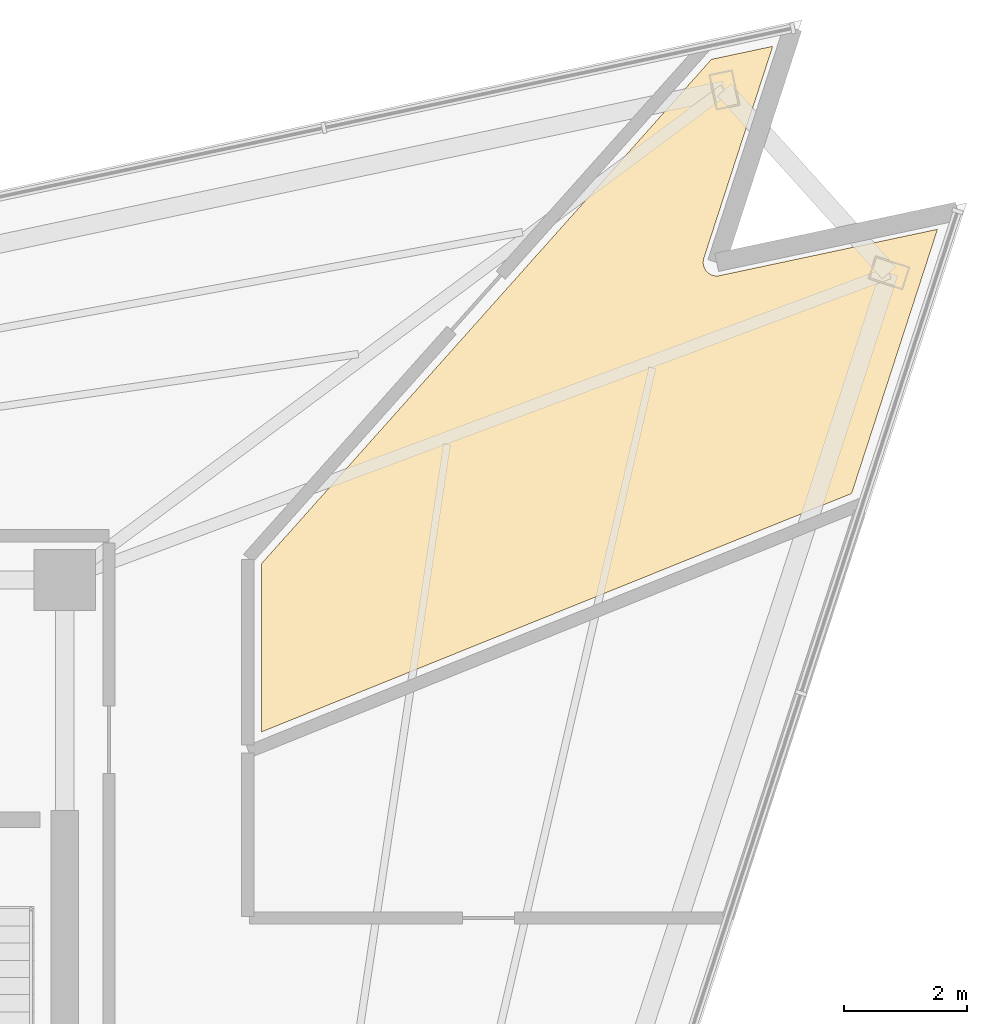
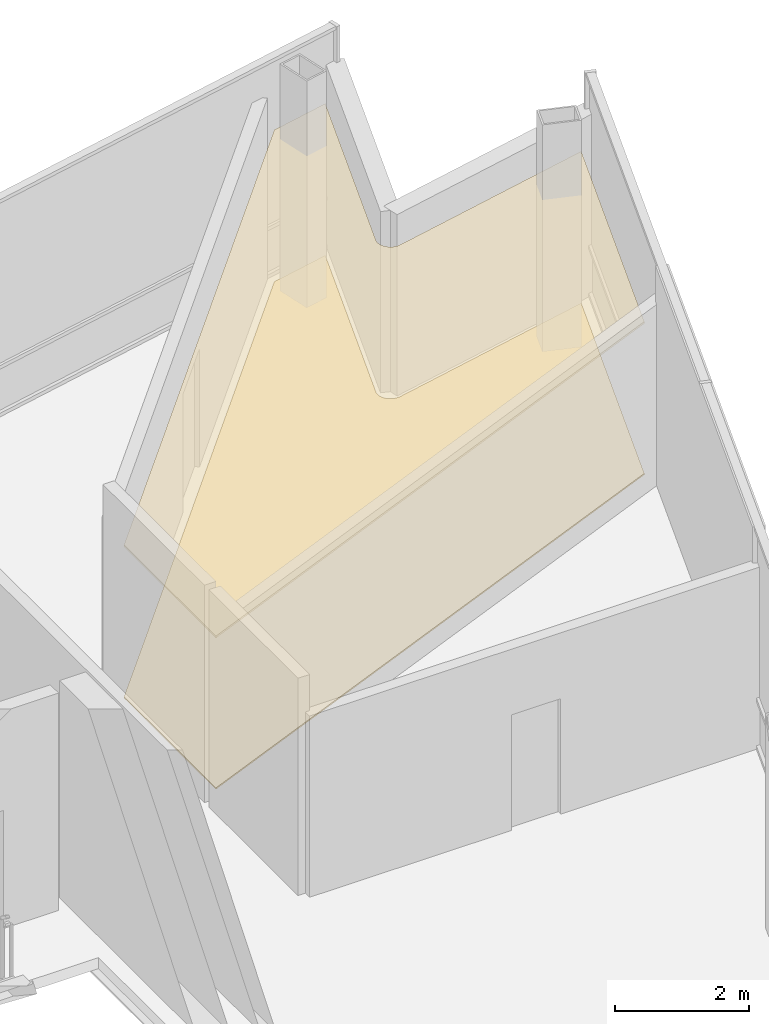
# One storey, part 17 of 17: 2 coverings.
"""IFC4 building model written with IfcOpenShell, lengths in metres."""

import ifcopenshell
import ifcopenshell.guid

model = None  # the IFC model being written
_history = None  # IfcOwnerHistory: only IFC2X3 demands one
_inside = {}  # id of a spatial element -> (the spatial element, [elements in it])
_under = {}  # id of a project, library or spatial element -> (it, [spatial elements below it])
_declared = {}  # id of a project -> (the project, [libraries it declares])
_typed = {}  # id of a type object -> (the type object, [elements of that type])
_made_of = {}  # id of a material, layer set ... -> (it, [elements and type objects made of it])


def new_model(schema):
    """Start an empty IFC model of exactly this schema.

    Asked for "IFC4X3", IfcOpenShell would pick the latest addendum, in which some entities
    have other attributes; the version numbers below select the first issue.
    IFC2X3 requires an IfcOwnerHistory on every rooted entity: one is made here for all.
    """
    global model, _history
    if schema == "IFC4X3":
        model = ifcopenshell.file(schema_version=(4, 3, 0, 0))
    else:
        model = ifcopenshell.file(schema=schema)
    _inside.clear()
    _under.clear()
    _declared.clear()
    _typed.clear()
    _made_of.clear()
    _history = None
    if model.schema == "IFC2X3":
        org = make("IfcOrganization", Name="unknown")
        user = make(
            "IfcPersonAndOrganization",
            ThePerson=make("IfcPerson", FamilyName="unknown"),
            TheOrganization=org,
        )
        app = make(
            "IfcApplication",
            ApplicationDeveloper=org,
            Version="unknown",
            ApplicationFullName="unknown",
            ApplicationIdentifier="unknown",
        )
        _history = make(
            "IfcOwnerHistory",
            OwningUser=user,
            OwningApplication=app,
            ChangeAction="ADDED",
            CreationDate=0,
        )
    return model


def make(cls, **values):
    """One entity of the class cls with the attributes given. An attribute that is None is left unset."""
    return model.create_entity(
        cls, **{name: value for name, value in values.items() if value is not None}
    )


def rooted(cls, **values):
    """An entity with a GlobalId (a new one), such as an element, a storey or a relation."""
    return make(cls, GlobalId=ifcopenshell.guid.new(), OwnerHistory=_history, **values)


def si_unit(unit_type, name, prefix=None):
    """IfcSIUnit, for example si_unit("LENGTHUNIT", "METRE", prefix="MILLI")."""
    return make("IfcSIUnit", UnitType=unit_type, Prefix=prefix, Name=name)


def assignment(units):
    """IfcUnitAssignment: the units of a project."""
    return None if units is None else make("IfcUnitAssignment", Units=units)


def point(xyz):
    """IfcCartesianPoint."""
    return None if xyz is None else make("IfcCartesianPoint", Coordinates=xyz)


def direction(xyz):
    """IfcDirection."""
    return None if xyz is None else make("IfcDirection", DirectionRatios=xyz)


def frame(location, z_axis=None, x_axis=None):
    """IfcAxis2Placement3D, a coordinate frame: its origin and axes. An axis left out is left unset."""
    return make(
        "IfcAxis2Placement3D",
        Location=point(location),
        Axis=direction(z_axis),
        RefDirection=direction(x_axis),
    )


def origin():
    """The frame at (0, 0, 0) with its axes left unset."""
    return frame((0.0, 0.0, 0.0))


def place(relative_to, where):
    """IfcLocalPlacement: puts the frame where relative to a parent placement (None: the world)."""
    return make(
        "IfcLocalPlacement", PlacementRelTo=relative_to, RelativePlacement=where
    )


def context(
    kind, dimensions, precision=None, world=None, true_north=None, identifier=None
):
    """IfcGeometricRepresentationContext, for example the 3D "Model" context."""
    return make(
        "IfcGeometricRepresentationContext",
        ContextIdentifier=identifier,
        ContextType=kind,
        CoordinateSpaceDimension=dimensions,
        Precision=precision,
        WorldCoordinateSystem=world,
        TrueNorth=true_north,
    )


def subcontext(parent, identifier, kind, view, scale=None):
    """IfcGeometricRepresentationSubContext, for example "Body" below "Model"."""
    return make(
        "IfcGeometricRepresentationSubContext",
        ContextIdentifier=identifier,
        ContextType=kind,
        ParentContext=parent,
        TargetScale=scale,
        TargetView=view,
    )


def project(units=None, contexts=None):
    """IfcProject with its units and contexts."""
    return rooted(
        "IfcProject",
        Name="project",
        RepresentationContexts=contexts,
        UnitsInContext=assignment(units),
    )


def spatial(cls, under=None, at=None, **own):
    """A site, building, storey or space (cls), placed at a placement, below another one or the project."""
    s = rooted(cls, ObjectPlacement=at, **own)
    if under is not None:
        _under.setdefault(under.id(), (under, []))[1].append(s)
    return s


def polyline(points):
    """IfcPolyline through the points."""
    return make("IfcPolyline", Points=[point(p) for p in points])


def outline(outer, holes=None, kind="AREA"):
    """IfcArbitraryClosedProfileDef: a profile drawn as a closed curve; with holes, ...WithVoids."""
    if holes is None:
        return make("IfcArbitraryClosedProfileDef", ProfileType=kind, OuterCurve=outer)
    return make(
        "IfcArbitraryProfileDefWithVoids",
        ProfileType=kind,
        OuterCurve=outer,
        InnerCurves=holes,
    )


def extrude(swept, where, along, depth):
    """IfcExtrudedAreaSolid: the profile swept, set in the frame where, extruded along a direction by depth."""
    return make(
        "IfcExtrudedAreaSolid",
        SweptArea=swept,
        Position=where,
        ExtrudedDirection=direction(along),
        Depth=depth,
    )


def shape(context_of_items, identifier, shape_type, items):
    """IfcShapeRepresentation: the items that make up one representation, for example the "Body"."""
    return make(
        "IfcShapeRepresentation",
        ContextOfItems=context_of_items,
        RepresentationIdentifier=identifier,
        RepresentationType=shape_type,
        Items=items,
    )


def material(Name=None, Category=None):
    """IfcMaterial."""
    return make("IfcMaterial", Name=Name, Category=Category)


def layer(
    of_material, thickness, ventilated=None, Name=None, Category=None, Priority=None
):
    """IfcMaterialLayer: one layer of a wall or slab, of a material (None: an air gap)."""
    return make(
        "IfcMaterialLayer",
        Material=of_material,
        LayerThickness=thickness,
        IsVentilated=ventilated,
        Name=Name,
        Category=Category,
        Priority=Priority,
    )


def layer_set(layers, Name=None):
    """IfcMaterialLayerSet."""
    return make("IfcMaterialLayerSet", MaterialLayers=layers, LayerSetName=Name)


def made_of(thing, what):
    """Note that an element or type object is made of a material, layer set ...; save() writes the relation."""
    if what is not None:
        _made_of.setdefault(what.id(), (what, []))[1].append(thing)
    return thing


def type_object(cls, material=None, **own):
    """A type object (cls), such as IfcWallType, which elements share."""
    return made_of(rooted(cls, **own), material)


def element(
    cls,
    number,
    at=None,
    inside=None,
    cuts=None,
    type_object=None,
    material=None,
    context=None,
    identifier="Body",
    shape_type=None,
    held_by="IfcProductDefinitionShape",
    body=None,
    shapes=None,
    **own,
):
    """One element of the class cls, such as IfcWall. Its Tag is "e" and its number.

    at: its placement. inside: the storey or other place that contains it. cuts: it is an
    opening in that element (IfcRelVoidsElement). A single representation is given by context,
    identifier, shape_type and body (its items); several are given by shapes. held_by: the class
    of the entity that holds the representations. save() writes the other relations.
    """
    e = rooted(cls, Tag="e%d" % number, ObjectPlacement=at, **own)
    if body is not None:
        shapes = [shape(context, identifier, shape_type, body)]
    if shapes is not None:
        e.Representation = make(held_by, Representations=shapes)
    if inside is not None:
        _inside.setdefault(inside.id(), (inside, []))[1].append(e)
    if cuts is not None:
        rooted(
            "IfcRelVoidsElement", RelatingBuildingElement=cuts, RelatedOpeningElement=e
        )
    if type_object is not None:
        _typed.setdefault(type_object.id(), (type_object, []))[1].append(e)
    return made_of(e, material)


def aggregate(whole, parts):
    """IfcRelAggregates: a whole, such as a stair, and the parts it consists of."""
    return rooted("IfcRelAggregates", RelatingObject=whole, RelatedObjects=parts)


def save(model, path):
    """Write the relations noted so far, then the file.

    IfcRelAggregates (storeys below a building ...), IfcRelContainedInSpatialStructure (elements
    in a storey), IfcRelDefinesByType, IfcRelAssociatesMaterial and IfcRelDeclares: one each for
    every whole, place, type object, material and project.
    """
    for whole, parts in _under.values():
        aggregate(whole, parts)
    for where, things in _inside.values():
        rooted(
            "IfcRelContainedInSpatialStructure",
            RelatedElements=things,
            RelatingStructure=where,
        )
    for kind, things in _typed.values():
        rooted("IfcRelDefinesByType", RelatedObjects=things, RelatingType=kind)
    for what, things in _made_of.values():
        rooted("IfcRelAssociatesMaterial", RelatedObjects=things, RelatingMaterial=what)
    for by, libraries in _declared.values():
        rooted("IfcRelDeclares", RelatingContext=by, RelatedDefinitions=libraries)
    model.write(path)


model = new_model("IFC4")

# Units and contexts
model_context = context("Model", 3, precision=1e-05, world=origin(), true_north=direction((0.0, 1.0)))
body_context = subcontext(model_context, "Body", "Model", "MODEL_VIEW")
ifc_project = project(units=[si_unit("LENGTHUNIT", "METRE"), si_unit("AREAUNIT", "SQUARE_METRE"), si_unit("VOLUMEUNIT", "CUBIC_METRE"), si_unit("PLANEANGLEUNIT", "RADIAN"), si_unit("MASSUNIT", "GRAM", prefix="KILO")], contexts=[model_context])

# Site, building, storey
site_placement = place(None, origin())
site = spatial("IfcSite", under=ifc_project, at=site_placement, CompositionType="ELEMENT")
building_placement = place(site_placement, origin())
building = spatial("IfcBuilding", under=site, at=building_placement, Name="Tharavind Bronze Gate", CompositionType="ELEMENT")
storey_placement = place(building_placement, frame((0.0, 0.0, 298.0)))
storey = spatial("IfcBuildingStorey", under=building, at=storey_placement, Name="L77", CompositionType="ELEMENT", Elevation=298.0)

# Coverings
ifc_material_1 = material(Name="Perforated Bronze Acoustic Panel", Category="bronze")
ifc_layer_1 = layer(ifc_material_1, 0.044921875)
ifc_layer_set_1 = layer_set([ifc_layer_1], Name="Perforated Bronze Acoustic Panel")
covering_type_1 = type_object("IfcCoveringType", Name="ACOUSTIC BRONZE BAFFLE CEILING", PredefinedType="CEILING", material=ifc_layer_set_1)
covering_1_placement = place(storey_placement, frame((0.0, 0.0, 2.75)))
element("IfcCovering", 1, at=covering_1_placement, inside=storey, type_object=covering_type_1, Name="L77-RM-01 suspended ceiling", PredefinedType="CEILING", context=body_context, shape_type="SweptSolid", body=[
    extrude(outline(polyline([(21.709716796875, 9.008544921875), (23.10693359375, 13.308837890625), (19.559814453125, 12.554931640625), (19.549072265625, 12.552978515625), (19.548583984375, 12.552734375), (19.526611328125, 12.55029296875), (19.5048828125, 12.55029296875), (19.48291015625, 12.55224609375), (19.46142578125, 12.556396484375), (19.4404296875, 12.5625), (19.420166015625, 12.57080078125), (19.400634765625, 12.581298828125), (19.382568359375, 12.593505859375), (19.365478515625, 12.607421875), (19.35009765625, 12.622802734375), (19.336181640625, 12.639892578125), (19.32421875, 12.658203125), (19.31396484375, 12.677490234375), (19.3056640625, 12.697998046875), (19.299560546875, 12.718994140625), (19.29541015625, 12.740478515625), (19.293701171875, 12.762451171875), (19.2939453125, 12.7841796875), (19.29638671875, 12.80615234375), (19.30126953125, 12.827392578125), (19.30126953125, 12.828125), (19.304443359375, 12.838623046875), (20.425048828125, 16.28759765625), (19.4267578125, 16.0751953125), (12.10009765625, 7.86181640625), (12.10009765625, 5.1259765625), (21.709716796875, 9.008544921875)])), origin(), (0.0, 0.0, 1.0), 0.034912109375),
])
ifc_material_2 = material(Name="Honed Travertine Limestone", Category="masonry")
ifc_layer_2 = layer(ifc_material_2, 0.030029296875)
ifc_layer_set_2 = layer_set([ifc_layer_2], Name="Honed Travertine Limestone")
covering_type_2 = type_object("IfcCoveringType", Name="HONED LIMESTONE FLOORING", PredefinedType="FLOORING", material=ifc_layer_set_2)
covering_2_placement = place(storey_placement, origin())
element("IfcCovering", 2, at=covering_2_placement, inside=storey, type_object=covering_type_2, Name="L77-RM-01 floor finish", PredefinedType="FLOORING", context=body_context, shape_type="SweptSolid", body=[
    extrude(outline(polyline([(21.709716796875, 9.008544921875), (23.10693359375, 13.308837890625), (19.559814453125, 12.554931640625), (19.549072265625, 12.552978515625), (19.548583984375, 12.552734375), (19.526611328125, 12.55029296875), (19.5048828125, 12.55029296875), (19.48291015625, 12.55224609375), (19.46142578125, 12.556396484375), (19.4404296875, 12.5625), (19.420166015625, 12.57080078125), (19.400634765625, 12.581298828125), (19.382568359375, 12.593505859375), (19.365478515625, 12.607421875), (19.35009765625, 12.622802734375), (19.336181640625, 12.639892578125), (19.32421875, 12.658203125), (19.31396484375, 12.677490234375), (19.3056640625, 12.697998046875), (19.299560546875, 12.718994140625), (19.29541015625, 12.740478515625), (19.293701171875, 12.762451171875), (19.2939453125, 12.7841796875), (19.29638671875, 12.80615234375), (19.30126953125, 12.827392578125), (19.30126953125, 12.828125), (19.304443359375, 12.838623046875), (20.425048828125, 16.28759765625), (19.4267578125, 16.0751953125), (12.10009765625, 7.86181640625), (12.10009765625, 5.1259765625), (21.709716796875, 9.008544921875)])), origin(), (0.0, 0.0, 1.0), 0.02490234375),
])

save(model, "model.ifc")
